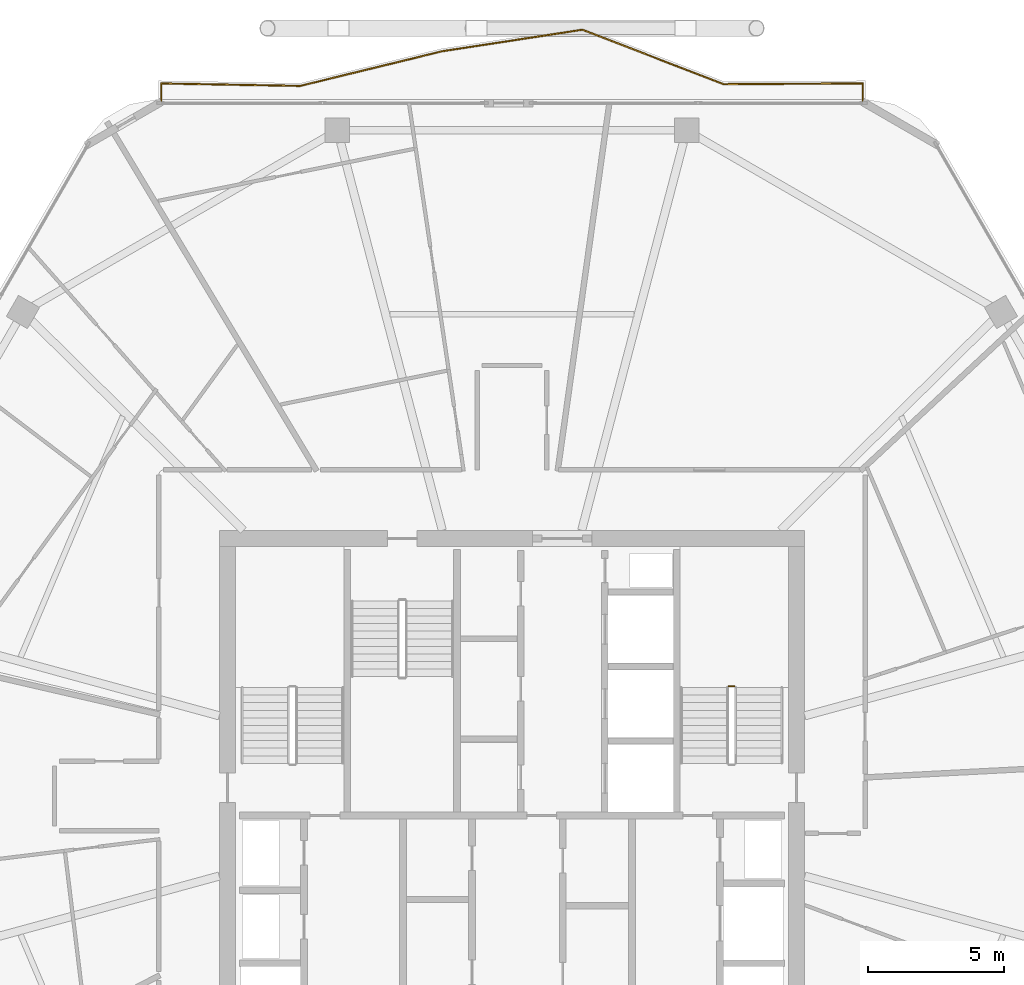
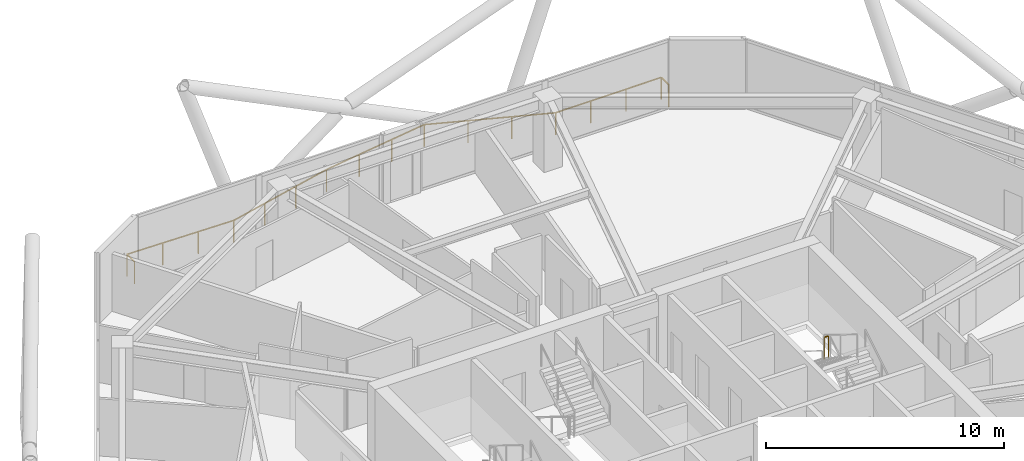
# One storey, part 28 of 28: 2 railings.
"""IFC4 building model written with IfcOpenShell, lengths in metres."""

from ifc_helpers import new_model, si_unit, direction, frame, origin, origin_2d, place, context, subcontext, project, spatial, rectangle, extrude, material, type_object, element, save


model = new_model("IFC4")

# Units and contexts
model_context = context("Model", 3, precision=1e-05, world=origin(), true_north=direction((0.0, 1.0)))
body_context = subcontext(model_context, "Body", "Model", "MODEL_VIEW")
ifc_project = project(units=[si_unit("LENGTHUNIT", "METRE"), si_unit("AREAUNIT", "SQUARE_METRE"), si_unit("VOLUMEUNIT", "CUBIC_METRE"), si_unit("PLANEANGLEUNIT", "RADIAN"), si_unit("MASSUNIT", "GRAM", prefix="KILO")], contexts=[model_context])

# Site, building, storey
site_placement = place(None, origin())
site = spatial("IfcSite", under=ifc_project, at=site_placement, CompositionType="ELEMENT")
building_placement = place(site_placement, origin())
building = spatial("IfcBuilding", under=site, at=building_placement, Name="Zuhravey Tower", CompositionType="ELEMENT")
storey_placement = place(building_placement, frame((0.0, 0.0, 254.0)))
storey = spatial("IfcBuildingStorey", under=building, at=storey_placement, Name="L64", CompositionType="ELEMENT", Elevation=254.0)

# Railings
ifc_material_1 = material(Name="Stainless steel 316 and laminated glass", Category="steel")
railing_type_1 = type_object("IfcRailingType", Name="Balcony & Terrace Guardrail 1150", PredefinedType="BALUSTRADE", material=ifc_material_1)
railing_1_placement = place(storey_placement, frame((23.058349609375, 57.648681640625, 0.0)))
element("IfcRailing", 1, at=railing_1_placement, inside=storey, type_object=railing_type_1, Name="L64 Face 2 Wave Balcony Guardrail GR1", PredefinedType="BALUSTRADE", context=body_context, shape_type="SweptSolid", body=[
    extrude(rectangle(XDim=0.048095703125, YDim=0.048095703125, at=origin_2d()), frame((0.0, 0.001953125, 1.1259765625), z_axis=(0.0, 1.0, 0.0), x_axis=(-1.0, 0.0, 0.0)), (0.0, 0.0, 1.0), 0.63427734375),
    extrude(rectangle(XDim=0.048095703125, YDim=0.048095703125, at=origin_2d()), frame((0.001953125, 0.63818359375, 1.1259765625), z_axis=(0.999843198682, -0.017708135113, 0.0), x_axis=(0.017708135113, 0.999843198682, 0.0)), (0.0, 0.0, 1.0), 5.124755859375),
    extrude(rectangle(XDim=0.048095703125, YDim=0.048095703125, at=origin_2d()), frame((5.1298828125, 0.5478515625, 1.1259765625), z_axis=(0.971444592589, 0.237266524249, 0.0), x_axis=(-0.237266524249, 0.971444592589, 0.0)), (0.0, 0.0, 1.0), 5.37451171875),
    extrude(rectangle(XDim=0.048095703125, YDim=0.048095703125, at=origin_2d()), frame((10.354736328125, 1.82373046875, 1.1259765625), z_axis=(0.988392667139, 0.151920819989, 0.0), x_axis=(-0.151920819989, 0.988392667139, 0.0)), (0.0, 0.0, 1.0), 5.242919921875),
    extrude(rectangle(XDim=0.048095703125, YDim=0.048095703125, at=origin_2d()), frame((15.540771484375, 2.619873046875, 1.1259765625), z_axis=(0.93303647053, -0.359781801459, 0.0), x_axis=(0.359781801459, 0.93303647053, 0.0)), (0.0, 0.0, 1.0), 5.579345703125),
    extrude(rectangle(XDim=0.048095703125, YDim=0.048095703125, at=origin_2d()), frame((20.750244140625, 0.61181640625, 1.1259765625), z_axis=(0.999985568381, 0.005372432331, 0.0), x_axis=(-0.005372432331, 0.999985568381, 0.0)), (0.0, 0.0, 1.0), 5.131103515625),
    extrude(rectangle(XDim=0.048095703125, YDim=0.048095703125, at=origin_2d()), frame((25.88330078125, 0.637451171875, 1.1259765625), z_axis=(0.0, -1.0, 0.0), x_axis=(1.0, 0.0, 0.0)), (0.0, 0.0, 1.0), 0.635498046875),
    extrude(rectangle(XDim=0.0419921875, YDim=0.0419921875, at=origin_2d()), origin(), (0.0, 0.0, 1.0), 1.099853515625),
    extrude(rectangle(XDim=0.0419921875, YDim=0.0419921875, at=origin_2d()), frame((0.0, 0.63818359375, 0.0)), (0.0, 0.0, 1.0), 1.099853515625),
    extrude(rectangle(XDim=0.0419921875, YDim=0.0419921875, at=origin_2d()), frame((1.709228515625, 0.60791015625, 0.0)), (0.0, 0.0, 1.0), 1.099853515625),
    extrude(rectangle(XDim=0.0419921875, YDim=0.0419921875, at=origin_2d()), frame((3.418701171875, 0.57763671875, 0.0)), (0.0, 0.0, 1.0), 1.099853515625),
    extrude(rectangle(XDim=0.0419921875, YDim=0.0419921875, at=origin_2d()), frame((5.1279296875, 0.54736328125, 0.0)), (0.0, 0.0, 1.0), 1.099853515625),
    extrude(rectangle(XDim=0.0419921875, YDim=0.0419921875, at=origin_2d()), frame((6.86962890625, 0.97265625, 0.0)), (0.0, 0.0, 1.0), 1.099853515625),
    extrude(rectangle(XDim=0.0419921875, YDim=0.0419921875, at=origin_2d()), frame((8.611083984375, 1.398193359375, 0.0)), (0.0, 0.0, 1.0), 1.099853515625),
    extrude(rectangle(XDim=0.0419921875, YDim=0.0419921875, at=origin_2d()), frame((10.352783203125, 1.823486328125, 0.0)), (0.0, 0.0, 1.0), 1.099853515625),
    extrude(rectangle(XDim=0.0419921875, YDim=0.0419921875, at=origin_2d()), frame((12.08154296875, 2.089111328125, 0.0)), (0.0, 0.0, 1.0), 1.099853515625),
    extrude(rectangle(XDim=0.0419921875, YDim=0.0419921875, at=origin_2d()), frame((13.81005859375, 2.35498046875, 0.0)), (0.0, 0.0, 1.0), 1.099853515625),
    extrude(rectangle(XDim=0.0419921875, YDim=0.0419921875, at=origin_2d()), frame((15.538818359375, 2.62060546875, 0.0)), (0.0, 0.0, 1.0), 1.099853515625),
    extrude(rectangle(XDim=0.0419921875, YDim=0.0419921875, at=origin_2d()), frame((17.275390625, 1.950927734375, 0.0)), (0.0, 0.0, 1.0), 1.099853515625),
    extrude(rectangle(XDim=0.0419921875, YDim=0.0419921875, at=origin_2d()), frame((19.01171875, 1.281494140625, 0.0)), (0.0, 0.0, 1.0), 1.099853515625),
    extrude(rectangle(XDim=0.0419921875, YDim=0.0419921875, at=origin_2d()), frame((20.748291015625, 0.61181640625, 0.0)), (0.0, 0.0, 1.0), 1.099853515625),
    extrude(rectangle(XDim=0.0419921875, YDim=0.0419921875, at=origin_2d()), frame((22.4599609375, 0.62109375, 0.0)), (0.0, 0.0, 1.0), 1.099853515625),
    extrude(rectangle(XDim=0.0419921875, YDim=0.0419921875, at=origin_2d()), frame((24.171630859375, 0.630126953125, 0.0)), (0.0, 0.0, 1.0), 1.099853515625),
    extrude(rectangle(XDim=0.0419921875, YDim=0.0419921875, at=origin_2d()), frame((25.88330078125, 0.639404296875, 0.0)), (0.0, 0.0, 1.0), 1.099853515625),
    extrude(rectangle(XDim=0.0419921875, YDim=0.0419921875, at=origin_2d()), frame((25.88330078125, 0.0, 0.0)), (0.0, 0.0, 1.0), 1.099853515625),
])
ifc_material_2 = material(Name="Painted tubular steel", Category="steel")
railing_type_2 = type_object("IfcRailingType", Name="Stair Well Guardrail 1150", PredefinedType="GUARDRAIL", material=ifc_material_2)
railing_2_placement = place(storey_placement, frame((44.199951171875, 36.050048828125, 1.89990234375)))
element("IfcRailing", 2, at=railing_2_placement, inside=storey, type_object=railing_type_2, Name="L64 ST2 stair guard 2", PredefinedType="GUARDRAIL", context=body_context, shape_type="SweptSolid", body=[
    extrude(rectangle(XDim=0.048095703125, YDim=0.048095703125, at=origin_2d()), frame((-0.001953125, 0.0, 1.1259765625), z_axis=(-1.0, 0.0, 0.0), x_axis=(0.0, -1.0, 0.0)), (0.0, 0.0, 1.0), 0.196044921875),
    extrude(rectangle(XDim=0.0419921875, YDim=0.0419921875, at=origin_2d()), origin(), (0.0, 0.0, 1.0), 1.099853515625),
    extrude(rectangle(XDim=0.0419921875, YDim=0.0419921875, at=origin_2d()), frame((-0.199951171875, 0.0, 0.0)), (0.0, 0.0, 1.0), 1.099853515625),
])

save(model, "model.ifc")
